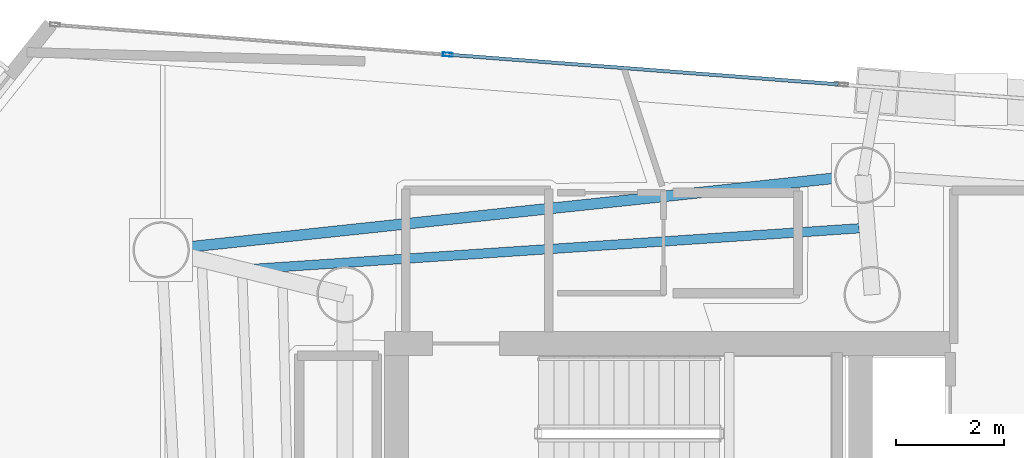
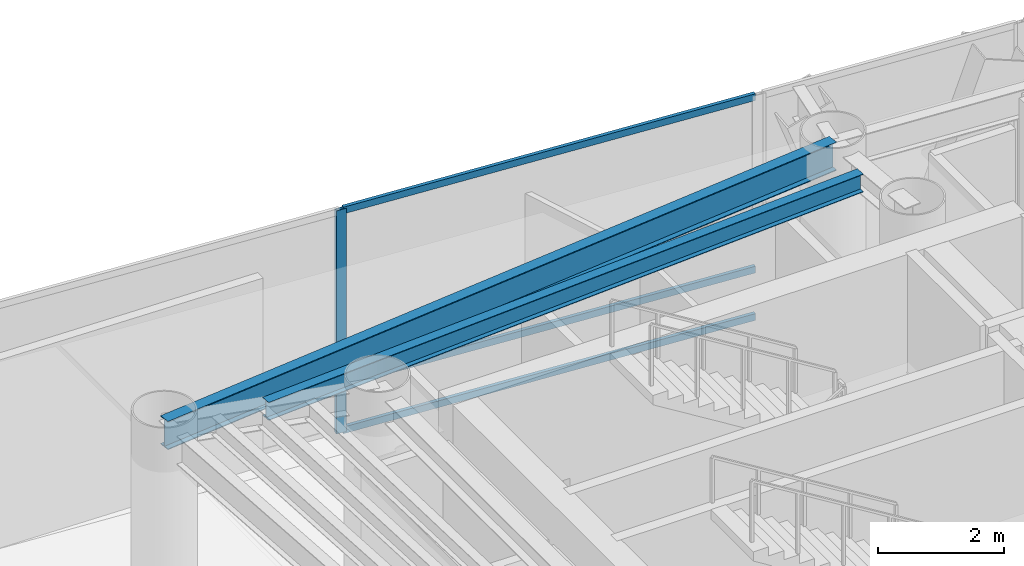
# One storey, part 11 of 21: 4 members, 2 beams, 1 element without a shape of its own.
"""IFC4 building model written with IfcOpenShell, lengths in metres."""

from ifc_helpers import new_model, si_unit, direction, frame, origin, origin_2d, place, context, subcontext, project, spatial, hollow_rectangle, i_section, extrude, material, layer, layer_set, material_profile, profile_set, type_object, element, aggregate, save


model = new_model("IFC4")

# Units and contexts
model_context = context("Model", 3, precision=1e-05, world=origin(), true_north=direction((0.0, 1.0)))
body_context = subcontext(model_context, "Body", "Model", "MODEL_VIEW")
ifc_project = project(units=[si_unit("LENGTHUNIT", "METRE"), si_unit("AREAUNIT", "SQUARE_METRE"), si_unit("VOLUMEUNIT", "CUBIC_METRE"), si_unit("PLANEANGLEUNIT", "RADIAN"), si_unit("MASSUNIT", "GRAM", prefix="KILO")], contexts=[model_context])

# Site, building, storey
site_placement = place(None, origin())
site = spatial("IfcSite", under=ifc_project, at=site_placement, CompositionType="ELEMENT")
building_placement = place(site_placement, origin())
building = spatial("IfcBuilding", under=site, at=building_placement, Name="Qianvela Tower", CompositionType="ELEMENT")
storey_placement = place(building_placement, frame((0.0, 0.0, 234.5)))
storey = spatial("IfcBuildingStorey", under=building, at=storey_placement, Name="L60", CompositionType="ELEMENT", Elevation=234.5)

# Beams
ifc_material_1 = material(Name="Steel Q355B", Category="steel")
ifc_material_profile_1 = material_profile(ifc_material_1, i_section(OverallWidth=0.175048828125, OverallDepth=0.35009765625, WebThickness=0.007080078125, FlangeThickness=0.010986328125, at=origin_2d()), Name="HN350x175x7x11")
ifc_profile_set_1 = profile_set([ifc_material_profile_1], Name="Steel Q355B")
beam_type_1 = type_object("IfcBeamType", Name="BM-HN350-JOIST", PredefinedType="JOIST", material=ifc_profile_set_1)
beam_1_placement = place(storey_placement, frame((38.15625, 34.78515625, 4.14306640625), z_axis=(-0.99776569919, -0.066810250112, 0.0), x_axis=(0.066810250112, -0.99776569919, 0.0)))
element("IfcBeam", 1, at=beam_1_placement, inside=storey, type_object=beam_type_1, Name="L60 Secondary Composite Floor Joist 2.2", PredefinedType="JOIST", context=body_context, shape_type="SweptSolid", body=[
    extrude(i_section(OverallWidth=0.175048828125, OverallDepth=0.35009765625, WebThickness=0.007080078125, FlangeThickness=0.010986328125, at=origin_2d()), origin(), (0.0, 0.0, 1.0), 11.35009765625),
])
ifc_material_2 = material(Name="Steel Q355B", Category="steel")
ifc_material_profile_2 = material_profile(ifc_material_2, i_section(OverallWidth=0.199951171875, OverallDepth=0.550048828125, WebThickness=0.010009765625, FlangeThickness=0.01611328125, at=origin_2d()), Name="HN550x200x10x16")
ifc_profile_set_2 = profile_set([ifc_material_profile_2], Name="Steel Q355B")
beam_type_2 = type_object("IfcBeamType", Name="BM-HN550-GIRD", PredefinedType="BEAM", material=ifc_profile_set_2)
beam_2_placement = place(storey_placement, frame((38.22509765625, 35.77294921875, 4.04296875), z_axis=(-0.994378160395, -0.105887081975, 0.0), x_axis=(0.105887081975, -0.994378160395, 0.0)))
element("IfcBeam", 2, at=beam_2_placement, inside=storey, type_object=beam_type_2, Name="L60 Perimeter Ring Spandrel Girder 2", PredefinedType="BEAM", context=body_context, shape_type="SweptSolid", body=[
    extrude(i_section(OverallWidth=0.199951171875, OverallDepth=0.550048828125, WebThickness=0.010009765625, FlangeThickness=0.01611328125, at=origin_2d()), origin(), (0.0, 0.0, 1.0), 13.116943359375),
])

# Curtain wall, members
ifc_material_3 = material(Name="Anodised Architectural Aluminium and Low-E Glass", Category="aluminium")
ifc_layer = layer(ifc_material_3, 0.18994140625)
ifc_layer_set = layer_set([ifc_layer], Name="Anodised Architectural Aluminium and Low-E Glass")
curtain_wall_type = type_object("IfcCurtainWallType", Name="CW-SKYLOBBY", PredefinedType="USERDEFINED", material=ifc_layer_set)
curtain_wall_placement = place(storey_placement, origin())
curtain_wall = element("IfcCurtainWall", 3, at=curtain_wall_placement, inside=storey, type_object=curtain_wall_type, Name="L60 CW-SKYLOBBY Curtain Wall 02C", ObjectType="CURTAIN_WALL_SYSTEM", PredefinedType="USERDEFINED")
ifc_material_4 = material(Name="Anodised Architectural Aluminium 6063-T6", Category="aluminium")
ifc_material_profile_3 = material_profile(ifc_material_4, hollow_rectangle(XDim=0.070068359375, YDim=0.179931640625, WallThickness=0.0048828125, at=origin_2d()), Name="ALU-MULL-70x180")
ifc_profile_set_3 = profile_set([ifc_material_profile_3], Name="Anodised Architectural Aluminium 6063-T6")
member_type_1 = type_object("IfcMemberType", Name="CW-SKYLOBBY-MULL", PredefinedType="MULLION", material=ifc_profile_set_3)
member_1_placement = place(storey_placement, frame((30.507080078125, 38.0146484375, 0.0), z_axis=(0.0, 0.0, 1.0), x_axis=(-0.075900155544, -0.997115422801, 0.0)))
member_1 = element("IfcMember", 4, at=member_1_placement, type_object=member_type_1, Name="CW-7 mullion 2", PredefinedType="MULLION", context=body_context, shape_type="SweptSolid", body=[
    extrude(hollow_rectangle(XDim=0.070068359375, YDim=0.179931640625, WallThickness=0.0048828125, at=origin_2d()), origin(), (0.0, 0.0, 1.0), 4.320068359375),
])
ifc_material_5 = material(Name="Anodised Architectural Aluminium 6063-T6", Category="aluminium")
ifc_material_profile_4 = material_profile(ifc_material_5, hollow_rectangle(XDim=0.06494140625, YDim=0.1298828125, WallThickness=0.00439453125, at=origin_2d()), Name="ALU-TRAN-65x130")
ifc_profile_set_4 = profile_set([ifc_material_profile_4], Name="Anodised Architectural Aluminium 6063-T6")
member_type_2 = type_object("IfcMemberType", Name="CW-SKYLOBBY-TRAN", PredefinedType="USERDEFINED", material=ifc_profile_set_4)
member_2_placement = place(storey_placement, frame((37.767333984375, 37.4619140625, 0.032470703125), z_axis=(-0.997114819407, 0.075908082045, 0.0), x_axis=(-0.075908082045, -0.997114819407, 0.0)))
member_2 = element("IfcMember", 5, at=member_2_placement, type_object=member_type_2, Name="CW-7 transom 1.1", ObjectType="TRANSOM", PredefinedType="USERDEFINED", context=body_context, shape_type="SweptSolid", body=[
    extrude(hollow_rectangle(XDim=0.06494140625, YDim=0.1298828125, WallThickness=0.00439453125, at=origin_2d()), origin(), (0.0, 0.0, 1.0), 7.246337890625),
])
member_3_placement = place(storey_placement, frame((37.767333984375, 37.4619140625, 0.949951171875), z_axis=(-0.997114819407, 0.075908082045, 0.0), x_axis=(-0.075908082045, -0.997114819407, 0.0)))
member_3 = element("IfcMember", 6, at=member_3_placement, type_object=member_type_2, Name="CW-7 transom 1.2", ObjectType="TRANSOM", PredefinedType="USERDEFINED", context=body_context, shape_type="SweptSolid", body=[
    extrude(hollow_rectangle(XDim=0.06494140625, YDim=0.1298828125, WallThickness=0.00439453125, at=origin_2d()), origin(), (0.0, 0.0, 1.0), 7.246337890625),
])
member_4_placement = place(storey_placement, frame((37.767333984375, 37.4619140625, 4.28759765625), z_axis=(-0.997114819407, 0.075908082045, 0.0), x_axis=(-0.075908082045, -0.997114819407, 0.0)))
member_4 = element("IfcMember", 7, at=member_4_placement, type_object=member_type_2, Name="CW-7 transom 1.3", ObjectType="TRANSOM", PredefinedType="USERDEFINED", context=body_context, shape_type="SweptSolid", body=[
    extrude(hollow_rectangle(XDim=0.06494140625, YDim=0.1298828125, WallThickness=0.00439453125, at=origin_2d()), origin(), (0.0, 0.0, 1.0), 7.246337890625),
])
aggregate(curtain_wall, [member_1, member_2, member_3, member_4])

save(model, "model.ifc")
